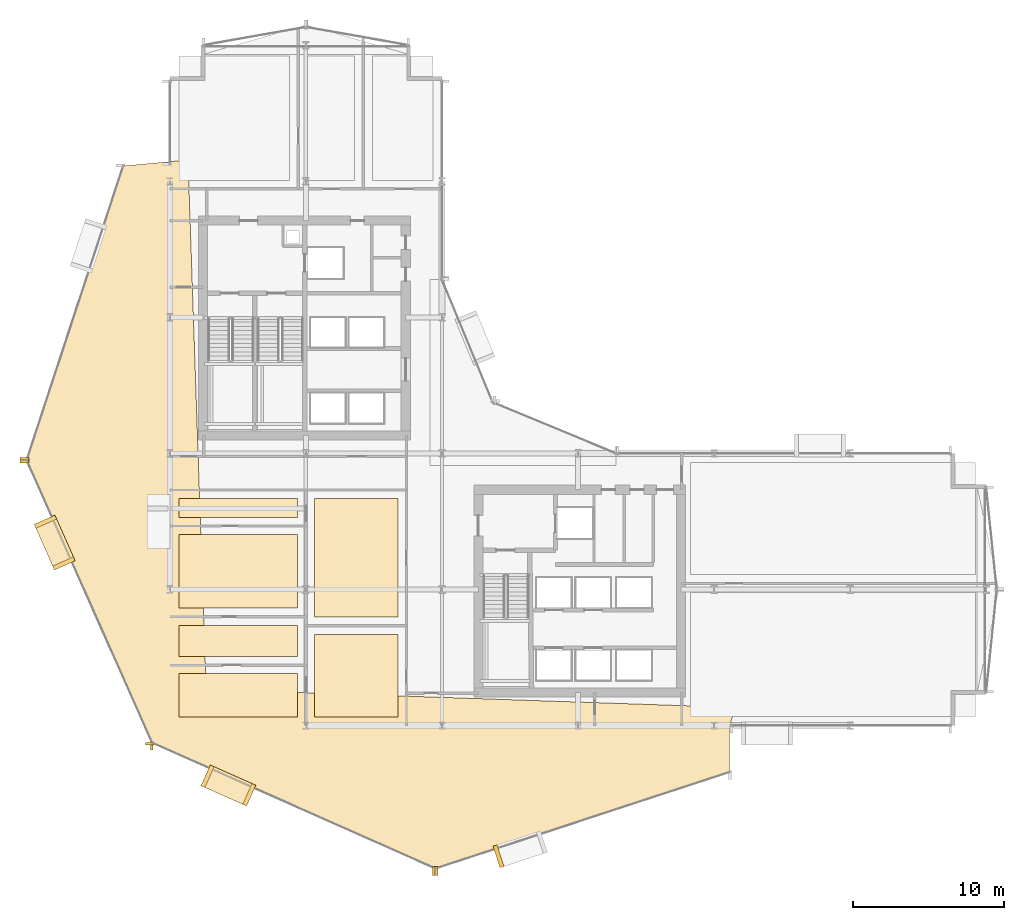
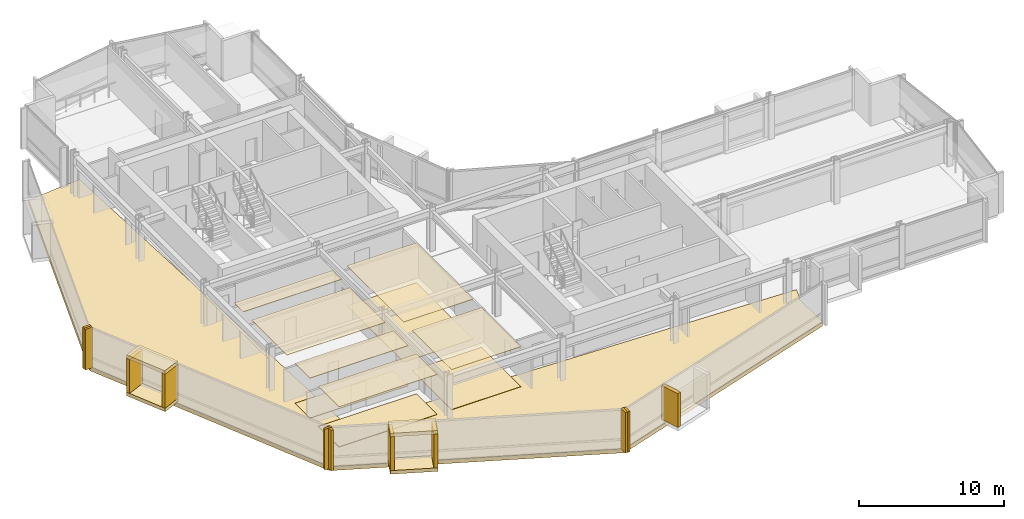
# One storey, part 30 of 34: 26 coverings.
"""IFC4 building model written with IfcOpenShell, lengths in metres."""

from ifc_helpers import new_model, si_unit, direction, frame, origin, origin_2d, place, context, subcontext, project, spatial, polyline, rectangle, outline, extrude, material, layer, layer_set, type_object, element, save


model = new_model("IFC4")

# Units and contexts
model_context = context("Model", 3, precision=1e-05, world=origin(), true_north=direction((0.0, 1.0)))
body_context = subcontext(model_context, "Body", "Model", "MODEL_VIEW")
ifc_project = project(units=[si_unit("LENGTHUNIT", "METRE"), si_unit("AREAUNIT", "SQUARE_METRE"), si_unit("VOLUMEUNIT", "CUBIC_METRE"), si_unit("PLANEANGLEUNIT", "RADIAN"), si_unit("MASSUNIT", "GRAM", prefix="KILO")], contexts=[model_context])

# Site, building, storey
site_placement = place(None, origin())
site = spatial("IfcSite", under=ifc_project, at=site_placement, CompositionType="ELEMENT")
building_placement = place(site_placement, origin())
building = spatial("IfcBuilding", under=site, at=building_placement, Name="Solvaryn Broadcast Tower", CompositionType="ELEMENT")
storey_placement = place(building_placement, frame((0.0, 0.0, 61.89990234375)))
storey = spatial("IfcBuildingStorey", under=building, at=storey_placement, Name="L14", CompositionType="ELEMENT", Elevation=61.89990234375)

# Coverings
ifc_material_1 = material(Name="Micro-Perforated Acoustic Gypsum Ceiling", Category="concrete")
ifc_layer_1 = layer(ifc_material_1, 0.0400390625)
ifc_layer_set_1 = layer_set([ifc_layer_1], Name="CV-CEIL-ACOUSTIC")
covering_type_1 = type_object("IfcCoveringType", Name="CV-CEIL-ACOUSTIC", PredefinedType="CEILING", material=ifc_layer_set_1)
covering_1_placement = place(storey_placement, frame((0.0, 0.0, 3.380126953125)))
element("IfcCovering", 1, at=covering_1_placement, inside=storey, type_object=covering_type_1, Name="L14 Room Acoustic Ceiling 1", PredefinedType="CEILING", context=body_context, shape_type="SweptSolid", body=[
    extrude(outline(polyline([(18.570068359375, 9.570068359375), (24.10009765625, 9.570068359375), (24.10009765625, 15.030029296875), (18.570068359375, 15.030029296875), (18.570068359375, 9.570068359375)])), origin(), (0.0, 0.0, 1.0), 0.0400390625),
])
covering_2_placement = place(storey_placement, frame((0.0, 0.0, 3.380126953125)))
element("IfcCovering", 2, at=covering_2_placement, inside=storey, type_object=covering_type_1, Name="L14 Room Acoustic Ceiling 2", PredefinedType="CEILING", context=body_context, shape_type="SweptSolid", body=[
    extrude(outline(polyline([(18.570068359375, 16.169921875), (24.10009765625, 16.169921875), (24.10009765625, 24.010009765625), (18.570068359375, 24.010009765625), (18.570068359375, 16.169921875)])), origin(), (0.0, 0.0, 1.0), 0.0400390625),
])
covering_3_placement = place(storey_placement, frame((0.0, 0.0, 3.380126953125)))
element("IfcCovering", 3, at=covering_3_placement, inside=storey, type_object=covering_type_1, Name="L14 Room Acoustic Ceiling 3", PredefinedType="CEILING", context=body_context, shape_type="SweptSolid", body=[
    extrude(outline(polyline([(9.60009765625, 9.570068359375), (17.429931640625, 9.570068359375), (17.429931640625, 12.429931640625), (9.60009765625, 12.429931640625), (9.60009765625, 9.570068359375)])), origin(), (0.0, 0.0, 1.0), 0.0400390625),
])
covering_4_placement = place(storey_placement, frame((0.0, 0.0, 3.380126953125)))
element("IfcCovering", 4, at=covering_4_placement, inside=storey, type_object=covering_type_1, Name="L14 Room Acoustic Ceiling 4", PredefinedType="CEILING", context=body_context, shape_type="SweptSolid", body=[
    extrude(outline(polyline([(9.60009765625, 13.570068359375), (17.429931640625, 13.570068359375), (17.429931640625, 15.6298828125), (9.60009765625, 15.6298828125), (9.60009765625, 13.570068359375)])), origin(), (0.0, 0.0, 1.0), 0.0400390625),
])
covering_5_placement = place(storey_placement, frame((0.0, 0.0, 3.380126953125)))
element("IfcCovering", 5, at=covering_5_placement, inside=storey, type_object=covering_type_1, Name="L14 Room Acoustic Ceiling 5", PredefinedType="CEILING", context=body_context, shape_type="SweptSolid", body=[
    extrude(outline(polyline([(9.60009765625, 16.77001953125), (17.429931640625, 16.77001953125), (17.429931640625, 21.6298828125), (9.60009765625, 21.6298828125), (9.60009765625, 16.77001953125)])), origin(), (0.0, 0.0, 1.0), 0.0400390625),
])
covering_6_placement = place(storey_placement, frame((0.0, 0.0, 3.380126953125)))
element("IfcCovering", 6, at=covering_6_placement, inside=storey, type_object=covering_type_1, Name="L14 Room Acoustic Ceiling 6", PredefinedType="CEILING", context=body_context, shape_type="SweptSolid", body=[
    extrude(outline(polyline([(9.60009765625, 22.77001953125), (17.429931640625, 22.77001953125), (17.429931640625, 24.010009765625), (9.60009765625, 24.010009765625), (9.60009765625, 22.77001953125)])), origin(), (0.0, 0.0, 1.0), 0.0400390625),
])
ifc_material_2 = material(Name="Newsroom Raised Data Access Flooring", Category="steel")
ifc_layer_2 = layer(ifc_material_2, 0.050048828125)
ifc_layer_set_2 = layer_set([ifc_layer_2], Name="CV-FLOOR-RAISED")
covering_type_2 = type_object("IfcCoveringType", Name="CV-FLOOR-RAISED", PredefinedType="FLOORING", material=ifc_layer_set_2)
covering_7_placement = place(storey_placement, origin())
element("IfcCovering", 7, at=covering_7_placement, inside=storey, type_object=covering_type_2, Name="L14 Room Acoustic Floor Finish 1", PredefinedType="FLOORING", context=body_context, shape_type="SweptSolid", body=[
    extrude(outline(polyline([(18.570068359375, 9.570068359375), (24.10009765625, 9.570068359375), (24.10009765625, 15.030029296875), (18.570068359375, 15.030029296875), (18.570068359375, 9.570068359375)])), origin(), (0.0, 0.0, 1.0), 0.050048828125),
])
covering_8_placement = place(storey_placement, origin())
element("IfcCovering", 8, at=covering_8_placement, inside=storey, type_object=covering_type_2, Name="L14 Room Acoustic Floor Finish 2", PredefinedType="FLOORING", context=body_context, shape_type="SweptSolid", body=[
    extrude(outline(polyline([(18.570068359375, 16.169921875), (24.10009765625, 16.169921875), (24.10009765625, 24.010009765625), (18.570068359375, 24.010009765625), (18.570068359375, 16.169921875)])), origin(), (0.0, 0.0, 1.0), 0.050048828125),
])
covering_9_placement = place(storey_placement, origin())
element("IfcCovering", 9, at=covering_9_placement, inside=storey, type_object=covering_type_2, Name="L14 Room Acoustic Floor Finish 3", PredefinedType="FLOORING", context=body_context, shape_type="SweptSolid", body=[
    extrude(outline(polyline([(9.60009765625, 9.570068359375), (17.429931640625, 9.570068359375), (17.429931640625, 12.429931640625), (9.60009765625, 12.429931640625), (9.60009765625, 9.570068359375)])), origin(), (0.0, 0.0, 1.0), 0.050048828125),
])
covering_10_placement = place(storey_placement, origin())
element("IfcCovering", 10, at=covering_10_placement, inside=storey, type_object=covering_type_2, Name="L14 Room Acoustic Floor Finish 4", PredefinedType="FLOORING", context=body_context, shape_type="SweptSolid", body=[
    extrude(outline(polyline([(9.60009765625, 13.570068359375), (17.429931640625, 13.570068359375), (17.429931640625, 15.6298828125), (9.60009765625, 15.6298828125), (9.60009765625, 13.570068359375)])), origin(), (0.0, 0.0, 1.0), 0.050048828125),
])
ifc_material_3 = material(Name="Glazed Architectural Terracotta Rainscreen Cladding", Category="masonry")
ifc_layer_3 = layer(ifc_material_3, 0.280029296875)
ifc_layer_set_3 = layer_set([ifc_layer_3], Name="CV-TC-CLAD")
covering_type_3 = type_object("IfcCoveringType", Name="CV-TC-CLAD", PredefinedType="CLADDING", material=ifc_layer_set_3)
for number, where, z_axis, x_axis, name in (
    (11, (1.37890625, 21.10498046875, 3.1298828125), (0.0, 0.0, 1.0), (0.405939269498, -0.913900054426, 0.0), "L14 Projecting Stone Window Box Hood 2"),
    (12, (1.37890625, 21.10498046875, -0.009765625), (0.0, 0.0, 1.0), (0.405939269498, -0.913900054426, 0.0), "L14 Projecting Stone Window Box Sill 2"),
):
    element("IfcCovering", number, at=place(storey_placement, frame(where, z_axis=z_axis, x_axis=x_axis)), inside=storey, type_object=covering_type_3, Name=name, PredefinedType="CLADDING", context=body_context, shape_type="SweptSolid", body=[
        extrude(rectangle(XDim=3.300048828125, YDim=1.5, at=origin_2d()), origin(), (0.0, 0.0, 1.0), 0.300048828125),
    ])
for number, where, z_axis, x_axis, name in (
    (13, (0.76611328125, 22.485107421875, 0.2802734375), (0.0, 0.0, 1.0), (0.405939269498, -0.913900054426, 0.0), "L14 Projecting Stone Window Box Cheek 2-1"),
    (14, (1.991943359375, 19.72509765625, 0.2802734375), (0.0, 0.0, 1.0), (0.405939269498, -0.913900054426, 0.0), "L14 Projecting Stone Window Box Cheek 2-2"),
):
    element("IfcCovering", number, at=place(storey_placement, frame(where, z_axis=z_axis, x_axis=x_axis)), inside=storey, type_object=covering_type_3, Name=name, PredefinedType="CLADDING", context=body_context, shape_type="SweptSolid", body=[
        extrude(rectangle(XDim=0.280029296875, YDim=1.5, at=origin_2d()), origin(), (0.0, 0.0, 1.0), 2.860107421875),
    ])
for number, where, z_axis, x_axis, name in (
    (15, (12.8720703125, 5.035888671875, 3.1298828125), (0.0, 0.0, 1.0), (0.913900054426, -0.405939269498, 0.0), "L14 Projecting Stone Window Box Hood 3"),
    (16, (12.8720703125, 5.035888671875, -0.009765625), (0.0, 0.0, 1.0), (0.913900054426, -0.405939269498, 0.0), "L14 Projecting Stone Window Box Sill 3"),
):
    element("IfcCovering", number, at=place(storey_placement, frame(where, z_axis=z_axis, x_axis=x_axis)), inside=storey, type_object=covering_type_3, Name=name, PredefinedType="CLADDING", context=body_context, shape_type="SweptSolid", body=[
        extrude(rectangle(XDim=3.300048828125, YDim=1.5, at=origin_2d()), origin(), (0.0, 0.0, 1.0), 0.300048828125),
    ])
for number, where, z_axis, x_axis, name in (
    (17, (11.491943359375, 5.64892578125, 0.2802734375), (0.0, 0.0, 1.0), (0.913900054426, -0.405939269498, 0.0), "L14 Projecting Stone Window Box Cheek 3-1"),
    (18, (14.251953125, 4.423095703125, 0.2802734375), (0.0, 0.0, 1.0), (0.913900054426, -0.405939269498, 0.0), "L14 Projecting Stone Window Box Cheek 3-2"),
    (19, (30.73828125, 0.348388671875, 0.2802734375), (0.0, 0.0, 1.0), (0.950189870912, 0.311671636848, 0.0), "L14 Projecting Stone Window Box Cheek 4-1"),
):
    element("IfcCovering", number, at=place(storey_placement, frame(where, z_axis=z_axis, x_axis=x_axis)), inside=storey, type_object=covering_type_3, Name=name, PredefinedType="CLADDING", context=body_context, shape_type="SweptSolid", body=[
        extrude(rectangle(XDim=0.280029296875, YDim=1.5, at=origin_2d()), origin(), (0.0, 0.0, 1.0), 2.860107421875),
    ])
ifc_material_4 = material(Name="Extruded Architectural Terracotta Fin", Category="masonry")
ifc_layer_4 = layer(ifc_material_4, 0.179931640625)
ifc_layer_set_4 = layer_set([ifc_layer_4], Name="CV-TC-FIN")
covering_type_4 = type_object("IfcCoveringType", Name="CV-TC-FIN", PredefinedType="USERDEFINED", material=ifc_layer_set_4)
for number, where, z_axis, x_axis, name in (
    (20, (-0.625732421875, 26.644775390625, 0.000244140625), (0.0, 0.0, 1.0), (1.0, 0.0, 0.0), "L14 Terracotta Vertical Fin FIN-L14-DR1-M01"),
    (21, (-0.6162109375, 26.459716796875, 0.000244140625), (0.0, 0.0, 1.0), (1.0, 0.0, 0.0), "L14 Terracotta Vertical Fin FIN-L14-DR2-M00"),
    (22, (7.670654296875, 7.8017578125, 0.000244140625), (0.0, 0.0, 1.0), (1.0, 0.0, 0.0), "L14 Terracotta Vertical Fin FIN-L14-DR2-M01"),
):
    element("IfcCovering", number, at=place(storey_placement, frame(where, z_axis=z_axis, x_axis=x_axis)), inside=storey, type_object=covering_type_4, Name=name, ObjectType="FIN", PredefinedType="USERDEFINED", context=body_context, shape_type="SweptSolid", body=[
        extrude(rectangle(XDim=0.580078125, YDim=0.179931640625, at=origin_2d()), origin(), (0.0, 0.0, 1.0), 3.419921875),
    ])
for number, where, z_axis, x_axis, name in (
    (23, (7.8017578125, 7.670654296875, 0.000244140625), (0.0, 0.0, 1.0), (1.0, 0.0, 0.0), "L14 Terracotta Vertical Fin FIN-L14-DR3-M00"),
    (24, (26.459716796875, -0.6162109375, 0.000244140625), (0.0, 0.0, 1.0), (1.0, 0.0, 0.0), "L14 Terracotta Vertical Fin FIN-L14-DR3-M01"),
    (25, (26.644775390625, -0.625732421875, 0.000244140625), (0.0, 0.0, 1.0), (1.0, 0.0, 0.0), "L14 Terracotta Vertical Fin FIN-L14-DR4-M00"),
):
    element("IfcCovering", number, at=place(storey_placement, frame(where, z_axis=z_axis, x_axis=x_axis)), inside=storey, type_object=covering_type_4, Name=name, ObjectType="FIN", PredefinedType="USERDEFINED", context=body_context, shape_type="SweptSolid", body=[
        extrude(rectangle(XDim=0.179931640625, YDim=0.580078125, at=origin_2d()), origin(), (0.0, 0.0, 1.0), 3.419921875),
    ])
ifc_material_5 = material(Name="Sculpted Architectural Terracotta Wave Fascia", Category="masonry")
ifc_layer_5 = layer(ifc_material_5, 0.340087890625)
ifc_layer_set_5 = layer_set([ifc_layer_5], Name="CV-WAVE-TRAY")
covering_type_5 = type_object("IfcCoveringType", Name="CV-WAVE-TRAY", PredefinedType="CLADDING", material=ifc_layer_set_5)
covering_11_placement = place(storey_placement, frame((0.0, 0.0, -0.2998046875)))
element("IfcCovering", 26, at=covering_11_placement, inside=storey, type_object=covering_type_5, Name="L14 Stepped Cylindrical Drum Floor Apron", PredefinedType="CLADDING", context=body_context, shape_type="SweptSolid", body=[
    extrude(outline(polyline([(10.199951171875, 46.416015625), (5.916015625, 46.01611328125), (-0.464111328125, 26.56005859375), (7.846923828125, 7.846923828125), (26.56005859375, -0.464111328125), (46.01611328125, 5.916015625), (46.01611328125, 9.0), (46.416015625, 10.199951171875), (11.39990234375, 11.39990234375), (10.199951171875, 46.416015625)])), origin(), (0.0, 0.0, 1.0), 0.329833984375),
])

save(model, "model.ifc")
